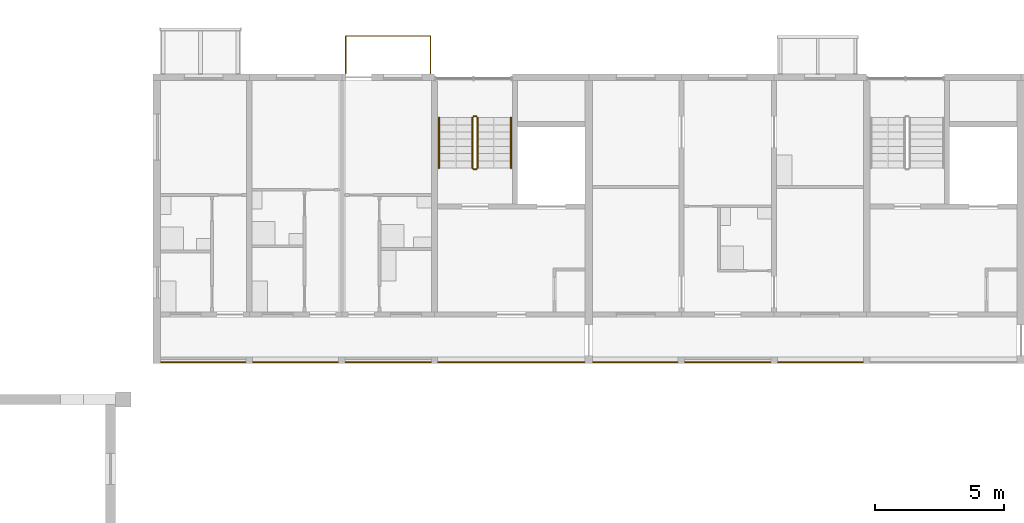
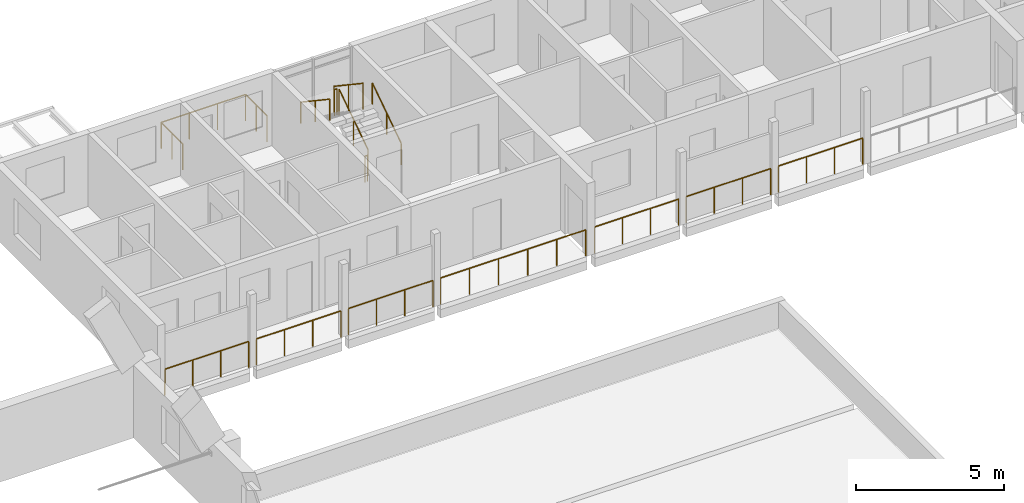
# One storey, part 109 of 115: 14 railings.
"""IFC4 building model written with IfcOpenShell, lengths in metres."""

from ifc_helpers import new_model, si_unit, direction, frame, origin, origin_2d, place, context, subcontext, project, spatial, circle, extrude, material, type_object, element, save


model = new_model("IFC4")

# Units and contexts
model_context = context("Model", 3, precision=1e-05, world=origin(), true_north=direction((0.0, 1.0)))
body_context = subcontext(model_context, "Body", "Model", "MODEL_VIEW")
ifc_project = project(units=[si_unit("LENGTHUNIT", "METRE"), si_unit("AREAUNIT", "SQUARE_METRE"), si_unit("VOLUMEUNIT", "CUBIC_METRE"), si_unit("PLANEANGLEUNIT", "RADIAN"), si_unit("MASSUNIT", "GRAM", prefix="KILO")], contexts=[model_context])

# Site, building, storey
site_placement = place(None, origin())
site = spatial("IfcSite", under=ifc_project, at=site_placement, CompositionType="ELEMENT")
building_placement = place(site_placement, origin())
building = spatial("IfcBuilding", under=site, at=building_placement, Name="Ridgestep Commons", CompositionType="ELEMENT")
storey_placement = place(building_placement, frame((0.0, 0.0, 6.0)))
storey = spatial("IfcBuildingStorey", under=building, at=storey_placement, Name="L02", CompositionType="ELEMENT", Elevation=6.0)

# Railings
ifc_material_1 = material(Name="Structural steel S355JR", Category="steel")
railing_type_1 = type_object("IfcRailingType", Name="Guard 1100", PredefinedType="GUARDRAIL", material=ifc_material_1)
railing_1_placement = place(storey_placement, frame((146.970947265625, 66.050048828125, 0.0)))
element("IfcRailing", 1, at=railing_1_placement, inside=storey, type_object=railing_type_1, Name="Gallery guard C 02.1", PredefinedType="GUARDRAIL", context=body_context, shape_type="SweptSolid", body=[
    extrude(circle(Radius=0.02392578125, at=origin_2d()), frame((0.0, 0.0, 1.076171875), z_axis=(1.0, 0.0, 0.0), x_axis=(0.0, 1.0, 0.0)), (0.0, 0.0, 1.0), 3.282958984375),
    extrude(circle(Radius=0.02099609375, at=origin_2d()), origin(), (0.0, 0.0, 1.0), 1.052001953125),
    extrude(circle(Radius=0.02099609375, at=origin_2d()), frame((1.09423828125, 0.0, 0.0)), (0.0, 0.0, 1.0), 1.052001953125),
    extrude(circle(Radius=0.02099609375, at=origin_2d()), frame((2.188720703125, 0.0, 0.0)), (0.0, 0.0, 1.0), 1.052001953125),
    extrude(circle(Radius=0.02099609375, at=origin_2d()), frame((3.282958984375, 0.0, 0.0)), (0.0, 0.0, 1.0), 1.052001953125),
])
for number, where, name in (
    (2, (150.5458984375, 66.050048828125, 0.0), "Gallery guard C 02.2"),
    (3, (154.14599609375, 66.050048828125, 0.0), "Gallery guard C 02.3"),
):
    element("IfcRailing", number, at=place(storey_placement, frame(where)), inside=storey, type_object=railing_type_1, Name=name, PredefinedType="GUARDRAIL", context=body_context, shape_type="SweptSolid", body=[
        extrude(circle(Radius=0.02392578125, at=origin_2d()), frame((0.0, 0.0, 1.076171875), z_axis=(1.0, 0.0, 0.0), x_axis=(0.0, 1.0, 0.0)), (0.0, 0.0, 1.0), 3.30810546875),
        extrude(circle(Radius=0.02099609375, at=origin_2d()), origin(), (0.0, 0.0, 1.0), 1.052001953125),
        extrude(circle(Radius=0.02099609375, at=origin_2d()), frame((1.102783203125, 0.0, 0.0)), (0.0, 0.0, 1.0), 1.052001953125),
        extrude(circle(Radius=0.02099609375, at=origin_2d()), frame((2.205322265625, 0.0, 0.0)), (0.0, 0.0, 1.0), 1.052001953125),
        extrude(circle(Radius=0.02099609375, at=origin_2d()), frame((3.30810546875, 0.0, 0.0)), (0.0, 0.0, 1.0), 1.052001953125),
    ])
railing_2_placement = place(storey_placement, frame((157.74609375, 66.050048828125, 0.0)))
element("IfcRailing", 4, at=railing_2_placement, inside=storey, type_object=railing_type_1, Name="Gallery guard C 02.4", PredefinedType="GUARDRAIL", context=body_context, shape_type="SweptSolid", body=[
    extrude(circle(Radius=0.02392578125, at=origin_2d()), frame((0.0, 0.0, 1.076171875), z_axis=(1.0, 0.0, 0.0), x_axis=(0.0, 1.0, 0.0)), (0.0, 0.0, 1.0), 5.682861328125),
    extrude(circle(Radius=0.02099609375, at=origin_2d()), origin(), (0.0, 0.0, 1.0), 1.052001953125),
    extrude(circle(Radius=0.02099609375, at=origin_2d()), frame((1.136474609375, 0.0, 0.0)), (0.0, 0.0, 1.0), 1.052001953125),
    extrude(circle(Radius=0.02099609375, at=origin_2d()), frame((2.273193359375, 0.0, 0.0)), (0.0, 0.0, 1.0), 1.052001953125),
    extrude(circle(Radius=0.02099609375, at=origin_2d()), frame((3.40966796875, 0.0, 0.0)), (0.0, 0.0, 1.0), 1.052001953125),
    extrude(circle(Radius=0.02099609375, at=origin_2d()), frame((4.54638671875, 0.0, 0.0)), (0.0, 0.0, 1.0), 1.052001953125),
    extrude(circle(Radius=0.02099609375, at=origin_2d()), frame((5.682861328125, 0.0, 0.0)), (0.0, 0.0, 1.0), 1.052001953125),
])
railing_3_placement = place(storey_placement, frame((163.77099609375, 66.050048828125, 0.0)))
element("IfcRailing", 5, at=railing_3_placement, inside=storey, type_object=railing_type_1, Name="Gallery guard C 02.5", PredefinedType="GUARDRAIL", context=body_context, shape_type="SweptSolid", body=[
    extrude(circle(Radius=0.02392578125, at=origin_2d()), frame((0.0, 0.0, 1.076171875), z_axis=(1.0, 0.0, 0.0), x_axis=(0.0, 1.0, 0.0)), (0.0, 0.0, 1.0), 3.282958984375),
    extrude(circle(Radius=0.02099609375, at=origin_2d()), origin(), (0.0, 0.0, 1.0), 1.052001953125),
    extrude(circle(Radius=0.02099609375, at=origin_2d()), frame((1.09423828125, 0.0, 0.0)), (0.0, 0.0, 1.0), 1.052001953125),
    extrude(circle(Radius=0.02099609375, at=origin_2d()), frame((2.188720703125, 0.0, 0.0)), (0.0, 0.0, 1.0), 1.052001953125),
    extrude(circle(Radius=0.02099609375, at=origin_2d()), frame((3.282958984375, 0.0, 0.0)), (0.0, 0.0, 1.0), 1.052001953125),
])
railing_4_placement = place(storey_placement, frame((167.345947265625, 66.050048828125, 0.0)))
element("IfcRailing", 6, at=railing_4_placement, inside=storey, type_object=railing_type_1, Name="Gallery guard C 02.6", PredefinedType="GUARDRAIL", context=body_context, shape_type="SweptSolid", body=[
    extrude(circle(Radius=0.02392578125, at=origin_2d()), frame((0.0, 0.0, 1.076171875), z_axis=(1.0, 0.0, 0.0), x_axis=(0.0, 1.0, 0.0)), (0.0, 0.0, 1.0), 3.30810546875),
    extrude(circle(Radius=0.02099609375, at=origin_2d()), origin(), (0.0, 0.0, 1.0), 1.052001953125),
    extrude(circle(Radius=0.02099609375, at=origin_2d()), frame((1.102783203125, 0.0, 0.0)), (0.0, 0.0, 1.0), 1.052001953125),
    extrude(circle(Radius=0.02099609375, at=origin_2d()), frame((2.205322265625, 0.0, 0.0)), (0.0, 0.0, 1.0), 1.052001953125),
    extrude(circle(Radius=0.02099609375, at=origin_2d()), frame((3.30810546875, 0.0, 0.0)), (0.0, 0.0, 1.0), 1.052001953125),
])
railing_5_placement = place(storey_placement, frame((170.946044921875, 66.050048828125, 0.0)))
element("IfcRailing", 7, at=railing_5_placement, inside=storey, type_object=railing_type_1, Name="Gallery guard C 02.7", PredefinedType="GUARDRAIL", context=body_context, shape_type="SweptSolid", body=[
    extrude(circle(Radius=0.02392578125, at=origin_2d()), frame((0.0, 0.0, 1.076171875), z_axis=(1.0, 0.0, 0.0), x_axis=(0.0, 1.0, 0.0)), (0.0, 0.0, 1.0), 3.307861328125),
    extrude(circle(Radius=0.02099609375, at=origin_2d()), origin(), (0.0, 0.0, 1.0), 1.052001953125),
    extrude(circle(Radius=0.02099609375, at=origin_2d()), frame((1.1025390625, 0.0, 0.0)), (0.0, 0.0, 1.0), 1.052001953125),
    extrude(circle(Radius=0.02099609375, at=origin_2d()), frame((2.205322265625, 0.0, 0.0)), (0.0, 0.0, 1.0), 1.052001953125),
    extrude(circle(Radius=0.02099609375, at=origin_2d()), frame((3.307861328125, 0.0, 0.0)), (0.0, 0.0, 1.0), 1.052001953125),
])
ifc_material_2 = material(Name="Structural steel S355JR", Category="steel")
railing_type_2 = type_object("IfcRailingType", Name="Stair guard 1100", PredefinedType="GUARDRAIL", material=ifc_material_2)
railing_6_placement = place(storey_placement, frame((159.27490234375, 73.60009765625, 0.1875)))
element("IfcRailing", 8, at=railing_6_placement, inside=storey, type_object=railing_type_2, Name="L02 C1C stair guard 1", PredefinedType="GUARDRAIL", context=body_context, shape_type="SweptSolid", body=[
    extrude(circle(Radius=0.02392578125, at=origin_2d()), frame((0.0, 0.0, 1.076171875), z_axis=(0.0, 0.830902050051, 0.556418712142), x_axis=(-1.0, 0.0, 0.0)), (0.0, 0.0, 1.0), 2.35888671875),
    extrude(circle(Radius=0.02099609375, at=origin_2d()), origin(), (0.0, 0.0, 1.0), 1.052001953125),
    extrude(circle(Radius=0.02099609375, at=origin_2d()), frame((0.0, 0.97998046875, 0.65625)), (0.0, 0.0, 1.0), 1.052001953125),
    extrude(circle(Radius=0.02099609375, at=origin_2d()), frame((0.0, 1.9599609375, 1.3125)), (0.0, 0.0, 1.0), 1.052001953125),
])
railing_7_placement = place(storey_placement, frame((159.22509765625, 75.610107421875, 1.5)))
element("IfcRailing", 9, at=railing_7_placement, inside=storey, type_object=railing_type_2, Name="L02 C1C stair guard 2", PredefinedType="GUARDRAIL", context=body_context, shape_type="SweptSolid", body=[
    extrude(circle(Radius=0.02392578125, at=origin_2d()), frame((0.0, 0.0, 1.076171875), z_axis=(-1.0, 0.0, 0.0), x_axis=(0.0, -1.0, 0.0)), (0.0, 0.0, 1.0), 0.10009765625),
    extrude(circle(Radius=0.02099609375, at=origin_2d()), origin(), (0.0, 0.0, 1.0), 1.052001953125),
    extrude(circle(Radius=0.02099609375, at=origin_2d()), frame((-0.10009765625, 0.0, 0.0)), (0.0, 0.0, 1.0), 1.052001953125),
])
railing_8_placement = place(storey_placement, frame((159.074951171875, 75.56005859375, 1.6875)))
element("IfcRailing", 10, at=railing_8_placement, inside=storey, type_object=railing_type_2, Name="L02 C1C stair guard 3", PredefinedType="GUARDRAIL", context=body_context, shape_type="SweptSolid", body=[
    extrude(circle(Radius=0.02392578125, at=origin_2d()), frame((0.0, 0.0, 1.076171875), z_axis=(0.0, -0.830902050051, 0.556418712142), x_axis=(1.0, 0.0, 0.0)), (0.0, 0.0, 1.0), 2.35888671875),
    extrude(circle(Radius=0.02099609375, at=origin_2d()), origin(), (0.0, 0.0, 1.0), 1.052001953125),
    extrude(circle(Radius=0.02099609375, at=origin_2d()), frame((0.0, -0.97998046875, 0.65625)), (0.0, 0.0, 1.0), 1.052001953125),
    extrude(circle(Radius=0.02099609375, at=origin_2d()), frame((0.0, -1.9599609375, 1.3125)), (0.0, 0.0, 1.0), 1.052001953125),
])
railing_9_placement = place(storey_placement, frame((159.22509765625, 73.550048828125, 0.0)))
element("IfcRailing", 11, at=railing_9_placement, inside=storey, type_object=railing_type_2, Name="L02 C1C stair guard 4", PredefinedType="GUARDRAIL", context=body_context, shape_type="SweptSolid", body=[
    extrude(circle(Radius=0.02392578125, at=origin_2d()), frame((0.0, 0.0, 1.076171875), z_axis=(-1.0, 0.0, 0.0), x_axis=(0.0, -1.0, 0.0)), (0.0, 0.0, 1.0), 0.10009765625),
    extrude(circle(Radius=0.02099609375, at=origin_2d()), origin(), (0.0, 0.0, 1.0), 1.052001953125),
    extrude(circle(Radius=0.02099609375, at=origin_2d()), frame((-0.10009765625, 0.0, 0.0)), (0.0, 0.0, 1.0), 1.052001953125),
])
ifc_material_3 = material(Name="Structural steel S355JR", Category="steel")
railing_type_3 = type_object("IfcRailingType", Name="Stair handrail 900", PredefinedType="HANDRAIL", material=ifc_material_3)
railing_10_placement = place(storey_placement, frame((160.574951171875, 73.60009765625, 0.1875)))
element("IfcRailing", 12, at=railing_10_placement, inside=storey, type_object=railing_type_3, Name="L02 C1C stair handrail 1", PredefinedType="HANDRAIL", context=body_context, shape_type="SweptSolid", body=[
    extrude(circle(Radius=0.02392578125, at=origin_2d()), frame((0.0, 0.0, 0.8759765625), z_axis=(0.0, 0.830902050051, 0.556418712142), x_axis=(-1.0, 0.0, 0.0)), (0.0, 0.0, 1.0), 2.35888671875),
    extrude(circle(Radius=0.02099609375, at=origin_2d()), origin(), (0.0, 0.0, 1.0), 0.851806640625),
    extrude(circle(Radius=0.02099609375, at=origin_2d()), frame((0.0, 0.97998046875, 0.65625)), (0.0, 0.0, 1.0), 0.851806640625),
    extrude(circle(Radius=0.02099609375, at=origin_2d()), frame((0.0, 1.9599609375, 1.3125)), (0.0, 0.0, 1.0), 0.851806640625),
])
railing_11_placement = place(storey_placement, frame((157.77490234375, 75.56005859375, 1.6875)))
element("IfcRailing", 13, at=railing_11_placement, inside=storey, type_object=railing_type_3, Name="L02 C1C stair handrail 2", PredefinedType="HANDRAIL", context=body_context, shape_type="SweptSolid", body=[
    extrude(circle(Radius=0.02392578125, at=origin_2d()), frame((0.0, 0.0, 0.8759765625), z_axis=(0.0, -0.830902050051, 0.556418712142), x_axis=(1.0, 0.0, 0.0)), (0.0, 0.0, 1.0), 2.35888671875),
    extrude(circle(Radius=0.02099609375, at=origin_2d()), origin(), (0.0, 0.0, 1.0), 0.851806640625),
    extrude(circle(Radius=0.02099609375, at=origin_2d()), frame((0.0, -0.97998046875, 0.65625)), (0.0, 0.0, 1.0), 0.851806640625),
    extrude(circle(Radius=0.02099609375, at=origin_2d()), frame((0.0, -1.9599609375, 1.3125)), (0.0, 0.0, 1.0), 0.851806640625),
])
ifc_material_4 = material(Name="Weathering steel S355J2W", Category="steel")
railing_type_4 = type_object("IfcRailingType", Name="Tray guard 1100", PredefinedType="GUARDRAIL", material=ifc_material_4)
railing_12_placement = place(storey_placement, frame((154.15087890625, 77.27099609375, 0.0)))
element("IfcRailing", 14, at=railing_12_placement, inside=storey, type_object=railing_type_4, Name="Tray guard C1T3-02", PredefinedType="GUARDRAIL", context=body_context, shape_type="SweptSolid", body=[
    extrude(circle(Radius=0.02392578125, at=origin_2d()), frame((0.0, 0.0, 1.076171875), z_axis=(0.0, 1.0, 0.0), x_axis=(-1.0, 0.0, 0.0)), (0.0, 0.0, 1.0), 1.4580078125),
    extrude(circle(Radius=0.02392578125, at=origin_2d()), frame((0.0, 1.4580078125, 1.076171875), z_axis=(1.0, 0.0, 0.0), x_axis=(0.0, 1.0, 0.0)), (0.0, 0.0, 1.0), 3.298095703125),
    extrude(circle(Radius=0.02392578125, at=origin_2d()), frame((3.298095703125, 1.4580078125, 1.076171875), z_axis=(0.0, -1.0, 0.0), x_axis=(1.0, 0.0, 0.0)), (0.0, 0.0, 1.0), 1.4580078125),
    extrude(circle(Radius=0.02099609375, at=origin_2d()), origin(), (0.0, 0.0, 1.0), 1.052001953125),
    extrude(circle(Radius=0.02099609375, at=origin_2d()), frame((0.0, 0.72900390625, 0.0)), (0.0, 0.0, 1.0), 1.052001953125),
    extrude(circle(Radius=0.02099609375, at=origin_2d()), frame((0.0, 1.4580078125, 0.0)), (0.0, 0.0, 1.0), 1.052001953125),
    extrude(circle(Radius=0.02099609375, at=origin_2d()), frame((1.099365234375, 1.4580078125, 0.0)), (0.0, 0.0, 1.0), 1.052001953125),
    extrude(circle(Radius=0.02099609375, at=origin_2d()), frame((2.19873046875, 1.4580078125, 0.0)), (0.0, 0.0, 1.0), 1.052001953125),
    extrude(circle(Radius=0.02099609375, at=origin_2d()), frame((3.298095703125, 1.4580078125, 0.0)), (0.0, 0.0, 1.0), 1.052001953125),
    extrude(circle(Radius=0.02099609375, at=origin_2d()), frame((3.298095703125, 0.72900390625, 0.0)), (0.0, 0.0, 1.0), 1.052001953125),
    extrude(circle(Radius=0.02099609375, at=origin_2d()), frame((3.298095703125, 0.0, 0.0)), (0.0, 0.0, 1.0), 1.052001953125),
])

save(model, "model.ifc")
